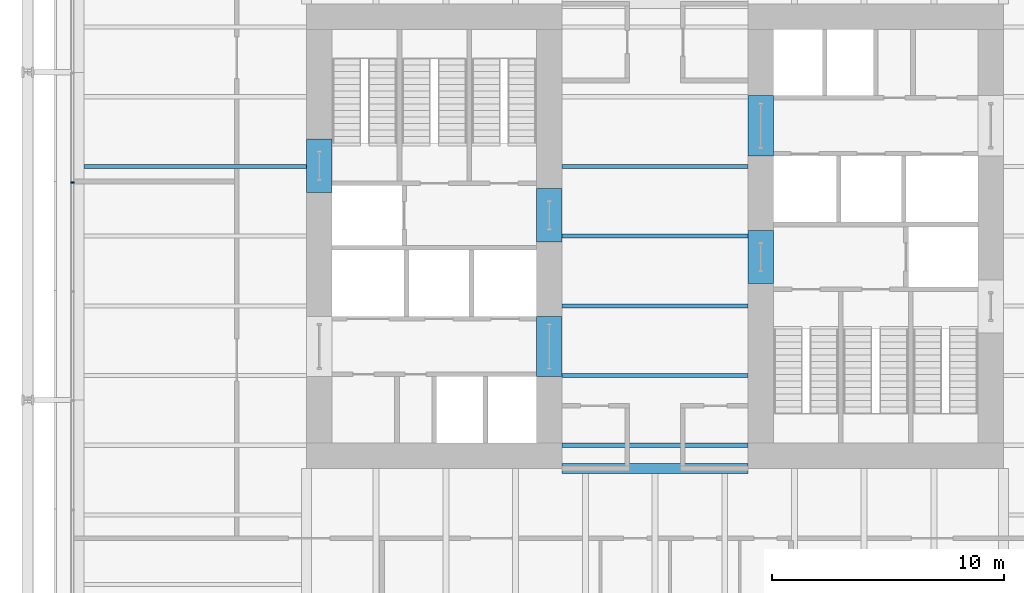
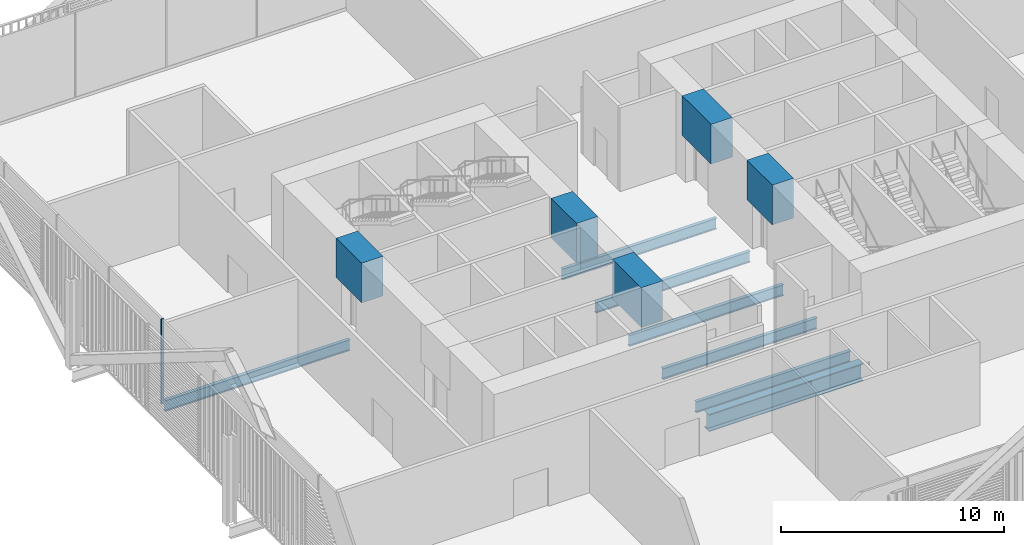
# One storey, part 7 of 22: 12 beams, 1 member, 1 element without a shape of its own.
"""IFC4 building model written with IfcOpenShell, lengths in metres."""

from ifc_helpers import new_model, si_unit, direction, frame, origin, origin_2d, place, context, subcontext, project, spatial, rectangle, i_section, extrude, material, layer, layer_set, material_profile, profile_set, type_object, element, aggregate, save


model = new_model("IFC4")

# Units and contexts
model_context = context("Model", 3, precision=1e-05, world=origin(), true_north=direction((0.0, 1.0)))
body_context = subcontext(model_context, "Body", "Model", "MODEL_VIEW")
ifc_project = project(units=[si_unit("LENGTHUNIT", "METRE"), si_unit("AREAUNIT", "SQUARE_METRE"), si_unit("VOLUMEUNIT", "CUBIC_METRE"), si_unit("PLANEANGLEUNIT", "RADIAN"), si_unit("MASSUNIT", "GRAM", prefix="KILO")], contexts=[model_context])

# Site, building, storey
site_placement = place(None, origin())
site = spatial("IfcSite", under=ifc_project, at=site_placement, CompositionType="ELEMENT")
building_placement = place(site_placement, origin())
building = spatial("IfcBuilding", under=site, at=building_placement, Name="Millrace Tower", CompositionType="ELEMENT")
storey_placement = place(building_placement, frame((0.0, 0.0, 20.89990234375)))
storey = spatial("IfcBuildingStorey", under=building, at=storey_placement, Name="L05", CompositionType="ELEMENT", Elevation=20.89990234375)

# Curtain wall, member
ifc_material_1 = material(Name="Aluminium and glass", Category="aluminium")
ifc_layer = layer(ifc_material_1, 0.14990234375)
ifc_layer_set = layer_set([ifc_layer], Name="Aluminium and glass")
curtain_wall_type = type_object("IfcCurtainWallType", Name="CW-2 data hall insulated curtain wall", PredefinedType="NOTDEFINED", material=ifc_layer_set)
curtain_wall_placement = place(storey_placement, origin())
curtain_wall = element("IfcCurtainWall", 1, at=curtain_wall_placement, inside=storey, type_object=curtain_wall_type, Name="Curtain wall A-F08 L05", PredefinedType="NOTDEFINED")
ifc_material_2 = material(Name="Aluminium", Category="aluminium")
ifc_material_profile_1 = material_profile(ifc_material_2, rectangle(XDim=0.06494140625, YDim=0.14990234375, at=origin_2d()))
ifc_profile_set_1 = profile_set([ifc_material_profile_1], Name="Aluminium")
member_type = type_object("IfcMemberType", Name="CW-2 data hall insulated curtain wall mullion", PredefinedType="MULLION", material=ifc_profile_set_1)
member_placement = place(storey_placement, frame((-25.074951171875, 2.3173828125, 0.16015625), z_axis=(0.0, 0.0, 1.0), x_axis=(0.0, -1.0, 0.0)))
member = element("IfcMember", 2, at=member_placement, type_object=member_type, Name="CW2 mullion A-F08.5", PredefinedType="MULLION", context=body_context, shape_type="SweptSolid", body=[
    extrude(rectangle(XDim=0.06494140625, YDim=0.14990234375, at=origin_2d()), origin(), (0.0, 0.0, 1.0), 4.639892578125),
])
aggregate(curtain_wall, [member])

# Beams
ifc_material_3 = material(Name="Concrete C80", Category="concrete")
ifc_material_profile_2 = material_profile(ifc_material_3, rectangle(XDim=1.10009765625, YDim=2.175048828125, at=origin_2d()))
ifc_profile_set_2 = profile_set([ifc_material_profile_2], Name="Concrete C80")
beam_type_1 = type_object("IfcBeamType", Name="Coupling beam 1100 x 2175 Concrete C80, 1300 opening", PredefinedType="BEAM", material=ifc_profile_set_2)
beam_1_placement = place(storey_placement, frame((-14.449951171875, 1.88818359375, 3.487548828125), z_axis=(0.0, 1.0, 0.0), x_axis=(-1.0, 0.0, 0.0)))
element("IfcBeam", 3, at=beam_1_placement, inside=storey, type_object=beam_type_1, Name="Coupling beam W L05", PredefinedType="BEAM", context=body_context, shape_type="SweptSolid", body=[
    extrude(rectangle(XDim=1.10009765625, YDim=2.175048828125, at=origin_2d()), origin(), (0.0, 0.0, 1.0), 2.28369140625),
])
for number, where, z_axis, x_axis, name in (
    (4, (-4.550048828125, -0.241943359375, 3.487548828125), (0.0, 1.0, 0.0), (-1.0, 0.0, 0.0), "Coupling beam W L05"),
    (5, (4.550048828125, 0.241943359375, 3.487548828125), (0.0, -1.0, 0.0), (1.0, 0.0, 0.0), "Coupling beam E L05"),
):
    element("IfcBeam", number, at=place(storey_placement, frame(where, z_axis=z_axis, x_axis=x_axis)), inside=storey, type_object=beam_type_1, Name=name, PredefinedType="BEAM", context=body_context, shape_type="SweptSolid", body=[
        extrude(rectangle(XDim=1.10009765625, YDim=2.175048828125, at=origin_2d()), origin(), (0.0, 0.0, 1.0), 2.283935546875),
    ])
ifc_material_4 = material(Name="Concrete C80", Category="concrete")
ifc_material_profile_3 = material_profile(ifc_material_4, rectangle(XDim=1.10009765625, YDim=2.175048828125, at=origin_2d()))
ifc_profile_set_3 = profile_set([ifc_material_profile_3], Name="Concrete C80")
beam_type_2 = type_object("IfcBeamType", Name="Coupling beam 1100 x 2175 Concrete C80, 2000 opening", PredefinedType="BEAM", material=ifc_profile_set_3)
for number, where, z_axis, x_axis, name in (
    (6, (-4.550048828125, -6.050048828125, 3.487548828125), (0.0, 1.0, 0.0), (-1.0, 0.0, 0.0), "Coupling beam W L05"),
    (7, (4.550048828125, 6.050048828125, 3.487548828125), (0.0, -1.0, 0.0), (1.0, 0.0, 0.0), "Coupling beam E L05"),
):
    element("IfcBeam", number, at=place(storey_placement, frame(where, z_axis=z_axis, x_axis=x_axis)), inside=storey, type_object=beam_type_2, Name=name, PredefinedType="BEAM", context=body_context, shape_type="SweptSolid", body=[
        extrude(rectangle(XDim=1.10009765625, YDim=2.175048828125, at=origin_2d()), origin(), (0.0, 0.0, 1.0), 2.60009765625),
    ])
ifc_material_5 = material(Name="Steel ASTM A992 Grade 50", Category="steel")
ifc_material_profile_4 = material_profile(ifc_material_5, i_section(OverallWidth=0.177978515625, OverallDepth=0.599365234375, WebThickness=0.010009765625, FlangeThickness=0.012939453125, FilletRadius=0.012939453125, at=origin_2d()))
ifc_profile_set_4 = profile_set([ifc_material_profile_4], Name="Steel ASTM A992 Grade 50")
beam_type_3 = type_object("IfcBeamType", Name="Floor beam W24x55", PredefinedType="JOIST", material=ifc_profile_set_4)
for number, where, z_axis, x_axis, name in (
    (8, (-4.0, -9.0, -0.524658203125), (1.0, 0.0, 0.0), (0.0, 1.0, 0.0), "BM-A-L05-S1-S011"),
    (9, (-4.0, -6.0, -0.524658203125), (1.0, 0.0, 0.0), (0.0, 1.0, 0.0), "BM-A-L05-S1-S014"),
    (10, (-4.0, -3.0, -0.524658203125), (1.0, 0.0, 0.0), (0.0, 1.0, 0.0), "BM-A-L05-S1-S017"),
    (11, (-4.0, 0.0, -0.524658203125), (1.0, 0.0, 0.0), (0.0, 1.0, 0.0), "BM-A-L05-S1-S020"),
    (12, (-4.0, 3.0, -0.524658203125), (1.0, 0.0, 0.0), (0.0, 1.0, 0.0), "BM-A-L05-S1-S023"),
):
    element("IfcBeam", number, at=place(storey_placement, frame(where, z_axis=z_axis, x_axis=x_axis)), inside=storey, type_object=beam_type_3, Name=name, PredefinedType="JOIST", context=body_context, shape_type="SweptSolid", body=[
        extrude(i_section(OverallWidth=0.177978515625, OverallDepth=0.599365234375, WebThickness=0.010009765625, FlangeThickness=0.012939453125, FilletRadius=0.012939453125, at=origin_2d()), origin(), (0.0, 0.0, 1.0), 8.0),
    ])
ifc_material_6 = material(Name="Steel ASTM A992 Grade 50", Category="steel")
ifc_material_profile_5 = material_profile(ifc_material_6, i_section(OverallWidth=0.1787109375, OverallDepth=0.60205078125, WebThickness=0.010986328125, FlangeThickness=0.014892578125, FilletRadius=0.0126953125, at=origin_2d()))
ifc_profile_set_5 = profile_set([ifc_material_profile_5], Name="Steel ASTM A992 Grade 50")
beam_type_4 = type_object("IfcBeamType", Name="Floor beam W24x62", PredefinedType="JOIST", material=ifc_profile_set_5)
beam_2_placement = place(storey_placement, frame((-24.578369140625, 3.0, -0.52587890625), z_axis=(1.0, 0.0, 0.0), x_axis=(0.0, 1.0, 0.0)))
element("IfcBeam", 13, at=beam_2_placement, inside=storey, type_object=beam_type_4, Name="BM-A-L05-S1-S024", PredefinedType="JOIST", context=body_context, shape_type="SweptSolid", body=[
    extrude(i_section(OverallWidth=0.1787109375, OverallDepth=0.60205078125, WebThickness=0.010986328125, FlangeThickness=0.014892578125, FilletRadius=0.0126953125, at=origin_2d()), origin(), (0.0, 0.0, 1.0), 9.578369140625),
])
ifc_material_7 = material(Name="Steel ASTM A992 Grade 50", Category="steel")
ifc_material_profile_6 = material_profile(ifc_material_7, i_section(OverallWidth=0.424072265625, OverallDepth=0.947509765625, WebThickness=0.02392578125, FlangeThickness=0.042724609375, FilletRadius=0.024169921875, at=origin_2d()))
ifc_profile_set_6 = profile_set([ifc_material_profile_6], Name="Steel ASTM A992 Grade 50")
beam_type_5 = type_object("IfcBeamType", Name="Girder short span W36x302", PredefinedType="BEAM", material=ifc_profile_set_6)
beam_3_placement = place(storey_placement, frame((-4.0, -10.0, -0.69873046875), z_axis=(1.0, 0.0, 0.0), x_axis=(0.0, 1.0, 0.0)))
element("IfcBeam", 14, at=beam_3_placement, inside=storey, type_object=beam_type_5, Name="BM-A-L05-S1-G065", PredefinedType="BEAM", context=body_context, shape_type="SweptSolid", body=[
    extrude(i_section(OverallWidth=0.424072265625, OverallDepth=0.947509765625, WebThickness=0.02392578125, FlangeThickness=0.042724609375, FilletRadius=0.024169921875, at=origin_2d()), origin(), (0.0, 0.0, 1.0), 8.0),
])

save(model, "model.ifc")
